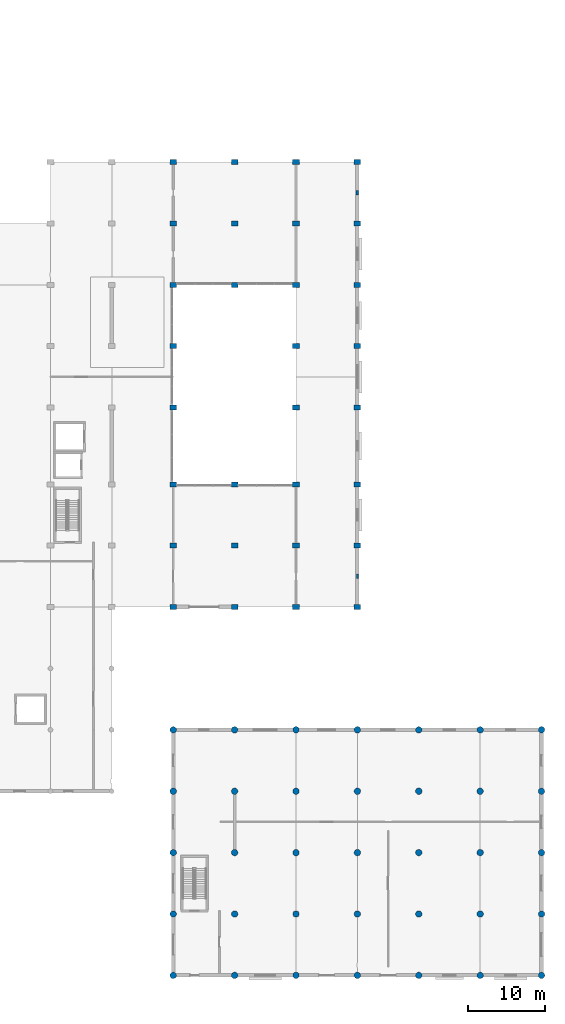
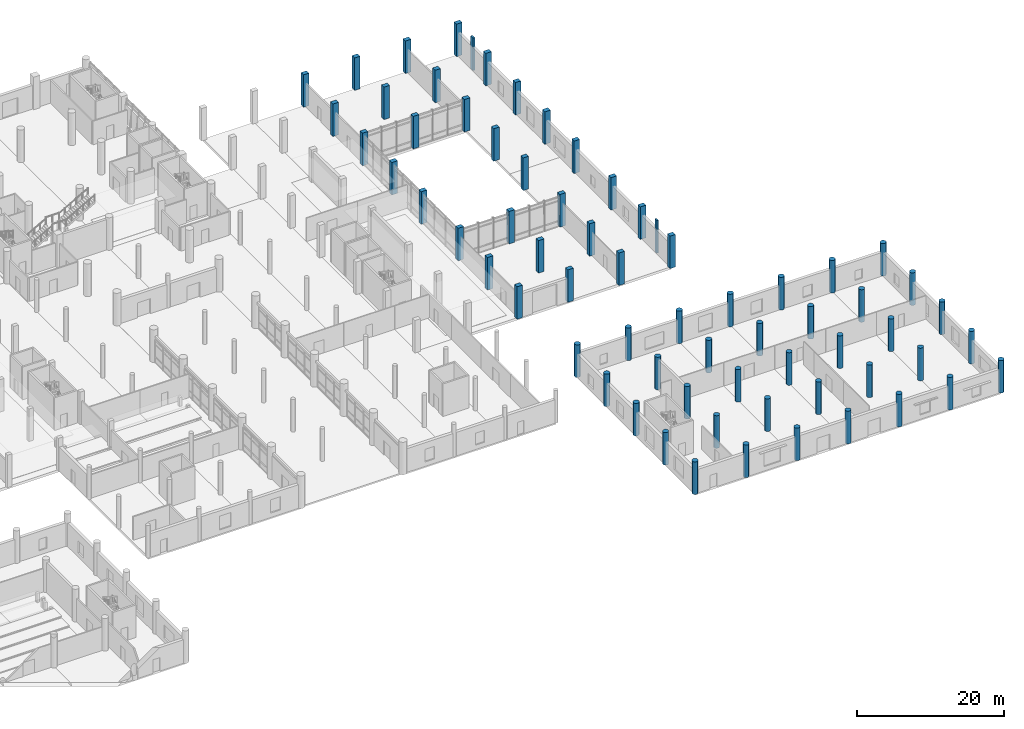
# One storey, part 3 of 42: 67 columns.
"""IFC4 building model written with IfcOpenShell, lengths in metres."""

from ifc_helpers import new_model, si_unit, direction, frame, origin, origin_2d, place, context, subcontext, project, spatial, rectangle, circle, extrude, material, material_profile, profile_set, type_object, element, save


model = new_model("IFC4")

# Units and contexts
model_context = context("Model", 3, precision=1e-05, world=origin(), true_north=direction((0.0, 1.0)))
body_context = subcontext(model_context, "Body", "Model", "MODEL_VIEW")
ifc_project = project(units=[si_unit("LENGTHUNIT", "METRE"), si_unit("AREAUNIT", "SQUARE_METRE"), si_unit("VOLUMEUNIT", "CUBIC_METRE"), si_unit("PLANEANGLEUNIT", "RADIAN"), si_unit("MASSUNIT", "GRAM", prefix="KILO")], contexts=[model_context])

# Site, building, storey
site_placement = place(None, origin())
site = spatial("IfcSite", under=ifc_project, at=site_placement, CompositionType="ELEMENT")
building_placement = place(site_placement, origin())
building = spatial("IfcBuilding", under=site, at=building_placement, Name="Pecanmere Concourse Central Library", CompositionType="ELEMENT")
storey_placement = place(building_placement, origin())
storey = spatial("IfcBuildingStorey", under=building, at=storey_placement, Name="L01", CompositionType="ELEMENT", Elevation=0.0)

# Columns
ifc_material_1 = material(Name="Concrete C40/50", Category="concrete")
ifc_material_profile_1 = material_profile(ifc_material_1, circle(Radius=0.419921875, at=origin_2d()), Name="RC D840")
ifc_profile_set_1 = profile_set([ifc_material_profile_1], Name="Concrete C40/50")
column_type_1 = type_object("IfcColumnType", Name="COL_CIRC_840", PredefinedType="COLUMN", material=ifc_profile_set_1)
for number, where, z_axis, x_axis, name in (
    (1, (128.0, 0.0, 0.0), (0.0, 0.0, 1.0), (1.0, 0.0, 0.0), "Column CC-04 L01-169"),
    (2, (128.0, 8.0, 0.0), (0.0, 0.0, 1.0), (1.0, 0.0, 0.0), "Column CC-04 L01-170"),
    (3, (128.0, 16.0, 0.0), (0.0, 0.0, 1.0), (1.0, 0.0, 0.0), "Column CC-04 L01-171"),
    (4, (128.0, 24.0, 0.0), (0.0, 0.0, 1.0), (1.0, 0.0, 0.0), "Column CC-04 L01-172"),
    (5, (128.0, 32.0, 0.0), (0.0, 0.0, 1.0), (1.0, 0.0, 0.0), "Column CC-04 L01-173"),
    (6, (136.0, 0.0, 0.0), (0.0, 0.0, 1.0), (1.0, 0.0, 0.0), "Column CC-04 L01-182"),
    (7, (136.0, 8.0, 0.0), (0.0, 0.0, 1.0), (1.0, 0.0, 0.0), "Column CC-04 L01-183"),
    (8, (136.0, 16.0, 0.0), (0.0, 0.0, 1.0), (1.0, 0.0, 0.0), "Column CC-04 L01-184"),
    (9, (136.0, 24.0, 0.0), (0.0, 0.0, 1.0), (1.0, 0.0, 0.0), "Column CC-04 L01-185"),
    (10, (136.0, 32.0, 0.0), (0.0, 0.0, 1.0), (1.0, 0.0, 0.0), "Column CC-04 L01-186"),
    (11, (144.0, 0.0, 0.0), (0.0, 0.0, 1.0), (1.0, 0.0, 0.0), "Column CC-04 L01-193"),
    (12, (144.0, 8.0, 0.0), (0.0, 0.0, 1.0), (1.0, 0.0, 0.0), "Column CC-04 L01-194"),
    (13, (144.0, 16.0, 0.0), (0.0, 0.0, 1.0), (1.0, 0.0, 0.0), "Column CC-04 L01-195"),
    (14, (144.0, 24.0, 0.0), (0.0, 0.0, 1.0), (1.0, 0.0, 0.0), "Column CC-04 L01-196"),
    (15, (144.0, 32.0, 0.0), (0.0, 0.0, 1.0), (1.0, 0.0, 0.0), "Column CC-04 L01-197"),
    (16, (152.0, 0.0, 0.0), (0.0, 0.0, 1.0), (1.0, 0.0, 0.0), "Column CC-04 L01-206"),
    (17, (152.0, 8.0, 0.0), (0.0, 0.0, 1.0), (1.0, 0.0, 0.0), "Column CC-04 L01-207"),
    (18, (152.0, 16.0, 0.0), (0.0, 0.0, 1.0), (1.0, 0.0, 0.0), "Column CC-04 L01-208"),
    (19, (152.0, 24.0, 0.0), (0.0, 0.0, 1.0), (1.0, 0.0, 0.0), "Column CC-04 L01-209"),
    (20, (152.0, 32.0, 0.0), (0.0, 0.0, 1.0), (1.0, 0.0, 0.0), "Column CC-04 L01-210"),
    (21, (160.0, 0.0, 0.0), (0.0, 0.0, 1.0), (1.0, 0.0, 0.0), "Column CC-04 L01-219"),
    (22, (160.0, 8.0, 0.0), (0.0, 0.0, 1.0), (1.0, 0.0, 0.0), "Column CC-04 L01-220"),
    (23, (160.0, 16.0, 0.0), (0.0, 0.0, 1.0), (1.0, 0.0, 0.0), "Column CC-04 L01-221"),
    (24, (160.0, 24.0, 0.0), (0.0, 0.0, 1.0), (1.0, 0.0, 0.0), "Column CC-04 L01-222"),
    (25, (160.0, 32.0, 0.0), (0.0, 0.0, 1.0), (1.0, 0.0, 0.0), "Column CC-04 L01-223"),
    (26, (168.0, 0.0, 0.0), (0.0, 0.0, 1.0), (1.0, 0.0, 0.0), "Column CC-04 L01-224"),
    (27, (168.0, 8.0, 0.0), (0.0, 0.0, 1.0), (1.0, 0.0, 0.0), "Column CC-04 L01-225"),
    (28, (168.0, 16.0, 0.0), (0.0, 0.0, 1.0), (1.0, 0.0, 0.0), "Column CC-04 L01-226"),
    (29, (168.0, 24.0, 0.0), (0.0, 0.0, 1.0), (1.0, 0.0, 0.0), "Column CC-04 L01-227"),
    (30, (168.0, 32.0, 0.0), (0.0, 0.0, 1.0), (1.0, 0.0, 0.0), "Column CC-04 L01-228"),
    (31, (176.0, 0.0, 0.0), (0.0, 0.0, 1.0), (1.0, 0.0, 0.0), "Column CC-04 L01-229"),
    (32, (176.0, 8.0, 0.0), (0.0, 0.0, 1.0), (1.0, 0.0, 0.0), "Column CC-04 L01-230"),
    (33, (176.0, 16.0, 0.0), (0.0, 0.0, 1.0), (1.0, 0.0, 0.0), "Column CC-04 L01-231"),
    (34, (176.0, 24.0, 0.0), (0.0, 0.0, 1.0), (1.0, 0.0, 0.0), "Column CC-04 L01-232"),
    (35, (176.0, 32.0, 0.0), (0.0, 0.0, 1.0), (1.0, 0.0, 0.0), "Column CC-04 L01-233"),
):
    element("IfcColumn", number, at=place(storey_placement, frame(where, z_axis=z_axis, x_axis=x_axis)), inside=storey, type_object=column_type_1, Name=name, PredefinedType="COLUMN", context=body_context, shape_type="SweptSolid", body=[
        extrude(circle(Radius=0.419921875, at=origin_2d()), origin(), (0.0, 0.0, 1.0), 5.39990234375),
    ])
ifc_material_2 = material(Name="Concrete C40/50", Category="concrete")
ifc_material_profile_2 = material_profile(ifc_material_2, rectangle(XDim=0.860107421875, YDim=0.659912109375, at=origin_2d()), Name="RC 860x660")
ifc_profile_set_2 = profile_set([ifc_material_profile_2], Name="Concrete C40/50")
column_type_2 = type_object("IfcColumnType", Name="COL_RC_860x660", PredefinedType="COLUMN", material=ifc_profile_set_2)
for number, where, z_axis, x_axis, name in (
    (36, (128.0, 48.0, 0.0), (0.0, 0.0, 1.0), (1.0, 0.0, 0.0), "Column C-14 L01-174"),
    (37, (128.0, 56.0, 0.0), (0.0, 0.0, 1.0), (1.0, 0.0, 0.0), "Column C-14 L01-175"),
    (38, (128.0, 64.0, 0.0), (0.0, 0.0, 1.0), (1.0, 0.0, 0.0), "Column C-14 L01-176"),
    (39, (128.0, 74.0, 0.0), (0.0, 0.0, 1.0), (1.0, 0.0, 0.0), "Column C-14 L01-177"),
    (40, (128.0, 82.0, 0.0), (0.0, 0.0, 1.0), (1.0, 0.0, 0.0), "Column C-14 L01-178"),
    (41, (128.0, 90.0, 0.0), (0.0, 0.0, 1.0), (1.0, 0.0, 0.0), "Column C-14 L01-179"),
    (42, (128.0, 98.0, 0.0), (0.0, 0.0, 1.0), (1.0, 0.0, 0.0), "Column C-14 L01-180"),
    (43, (128.0, 106.0, 0.0), (0.0, 0.0, 1.0), (1.0, 0.0, 0.0), "Column C-14 L01-181"),
    (44, (136.0, 48.0, 0.0), (0.0, 0.0, 1.0), (1.0, 0.0, 0.0), "Column C-14 L01-187"),
    (45, (136.0, 56.0, 0.0), (0.0, 0.0, 1.0), (1.0, 0.0, 0.0), "Column C-14 L01-188"),
    (46, (136.0, 64.0, 0.0), (0.0, 0.0, 1.0), (1.0, 0.0, 0.0), "Column C-14 L01-189"),
    (47, (136.0, 90.0, 0.0), (0.0, 0.0, 1.0), (1.0, 0.0, 0.0), "Column C-14 L01-190"),
    (48, (136.0, 98.0, 0.0), (0.0, 0.0, 1.0), (1.0, 0.0, 0.0), "Column C-14 L01-191"),
    (49, (136.0, 106.0, 0.0), (0.0, 0.0, 1.0), (1.0, 0.0, 0.0), "Column C-14 L01-192"),
    (50, (144.0, 48.0, 0.0), (0.0, 0.0, 1.0), (1.0, 0.0, 0.0), "Column C-14 L01-198"),
    (51, (144.0, 56.0, 0.0), (0.0, 0.0, 1.0), (1.0, 0.0, 0.0), "Column C-14 L01-199"),
    (52, (144.0, 64.0, 0.0), (0.0, 0.0, 1.0), (1.0, 0.0, 0.0), "Column C-14 L01-200"),
    (53, (144.0, 74.0, 0.0), (0.0, 0.0, 1.0), (1.0, 0.0, 0.0), "Column C-14 L01-201"),
    (54, (144.0, 82.0, 0.0), (0.0, 0.0, 1.0), (1.0, 0.0, 0.0), "Column C-14 L01-202"),
    (55, (144.0, 90.0, 0.0), (0.0, 0.0, 1.0), (1.0, 0.0, 0.0), "Column C-14 L01-203"),
    (56, (144.0, 98.0, 0.0), (0.0, 0.0, 1.0), (1.0, 0.0, 0.0), "Column C-14 L01-204"),
    (57, (144.0, 106.0, 0.0), (0.0, 0.0, 1.0), (1.0, 0.0, 0.0), "Column C-14 L01-205"),
    (58, (152.0, 48.0, 0.0), (0.0, 0.0, 1.0), (1.0, 0.0, 0.0), "Column C-14 L01-211"),
    (59, (152.0, 56.0, 0.0), (0.0, 0.0, 1.0), (1.0, 0.0, 0.0), "Column C-14 L01-212"),
    (60, (152.0, 64.0, 0.0), (0.0, 0.0, 1.0), (1.0, 0.0, 0.0), "Column C-14 L01-213"),
    (61, (152.0, 74.0, 0.0), (0.0, 0.0, 1.0), (1.0, 0.0, 0.0), "Column C-14 L01-214"),
    (62, (152.0, 82.0, 0.0), (0.0, 0.0, 1.0), (1.0, 0.0, 0.0), "Column C-14 L01-215"),
    (63, (152.0, 90.0, 0.0), (0.0, 0.0, 1.0), (1.0, 0.0, 0.0), "Column C-14 L01-216"),
    (64, (152.0, 98.0, 0.0), (0.0, 0.0, 1.0), (1.0, 0.0, 0.0), "Column C-14 L01-217"),
    (65, (152.0, 106.0, 0.0), (0.0, 0.0, 1.0), (1.0, 0.0, 0.0), "Column C-14 L01-218"),
):
    element("IfcColumn", number, at=place(storey_placement, frame(where, z_axis=z_axis, x_axis=x_axis)), inside=storey, type_object=column_type_2, Name=name, PredefinedType="COLUMN", context=body_context, shape_type="SweptSolid", body=[
        extrude(rectangle(XDim=0.860107421875, YDim=0.659912109375, at=origin_2d()), origin(), (0.0, 0.0, 1.0), 5.39990234375),
    ])
ifc_material_3 = material(Name="Precast concrete C40/50", Category="concrete")
ifc_material_profile_3 = material_profile(ifc_material_3, rectangle(XDim=0.56005859375, YDim=0.280029296875, at=origin_2d()), Name="RC 560x280")
ifc_profile_set_3 = profile_set([ifc_material_profile_3], Name="Precast concrete C40/50")
column_type_3 = type_object("IfcColumnType", Name="PIL_560x280", PredefinedType="PILASTER", material=ifc_profile_set_3)
column_1_placement = place(storey_placement, frame((152.0, 52.0, 0.0), z_axis=(0.0, 0.0, 1.0), x_axis=(0.0, 1.0, 0.0)))
element("IfcColumn", 66, at=column_1_placement, inside=storey, type_object=column_type_3, Name="Classical Limestone Pilaster L01-03", PredefinedType="PILASTER", context=body_context, shape_type="SweptSolid", body=[
    extrude(rectangle(XDim=0.56005859375, YDim=0.280029296875, at=origin_2d()), origin(), (0.0, 0.0, 1.0), 5.39990234375),
])
ifc_material_4 = material(Name="Precast concrete C40/50", Category="concrete")
ifc_material_profile_4 = material_profile(ifc_material_4, rectangle(XDim=0.6201171875, YDim=0.31005859375, at=origin_2d()), Name="RC 620x310")
ifc_profile_set_4 = profile_set([ifc_material_profile_4], Name="Precast concrete C40/50")
column_type_4 = type_object("IfcColumnType", Name="PIL_620x310", PredefinedType="PILASTER", material=ifc_profile_set_4)
column_2_placement = place(storey_placement, frame((152.0, 102.0, 0.0), z_axis=(0.0, 0.0, 1.0), x_axis=(0.0, 1.0, 0.0)))
element("IfcColumn", 67, at=column_2_placement, inside=storey, type_object=column_type_4, Name="Classical Limestone Pilaster L01-04", PredefinedType="PILASTER", context=body_context, shape_type="SweptSolid", body=[
    extrude(rectangle(XDim=0.6201171875, YDim=0.31005859375, at=origin_2d()), origin(), (0.0, 0.0, 1.0), 5.39990234375),
])

save(model, "model.ifc")
